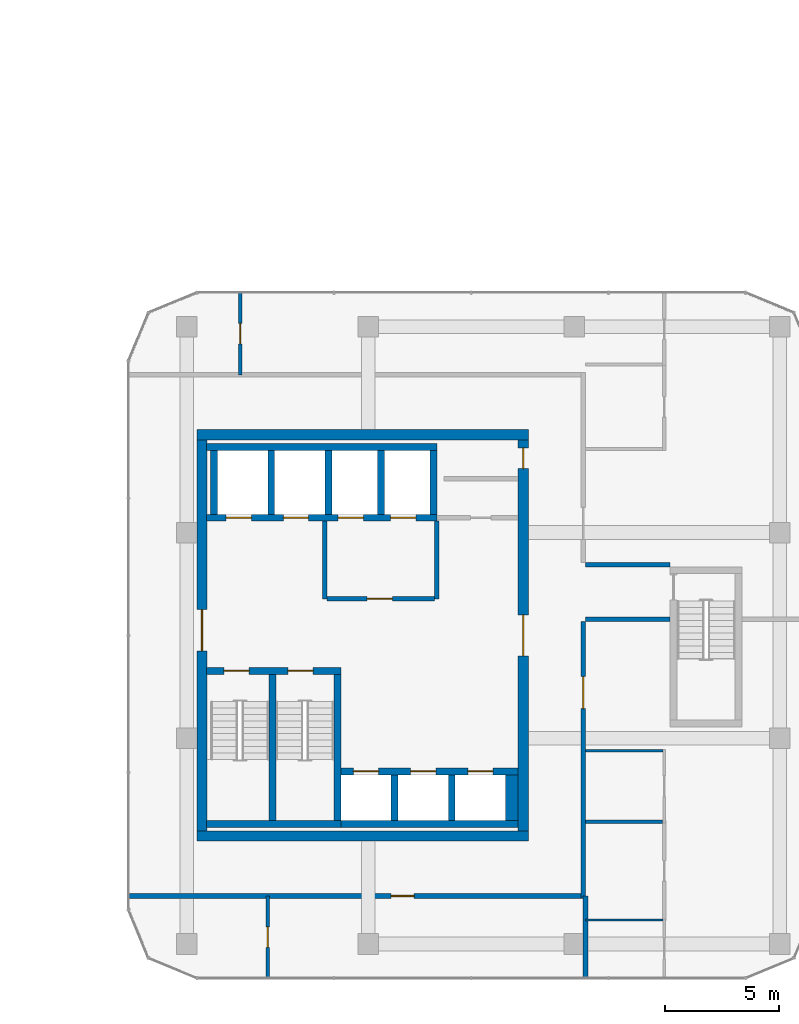
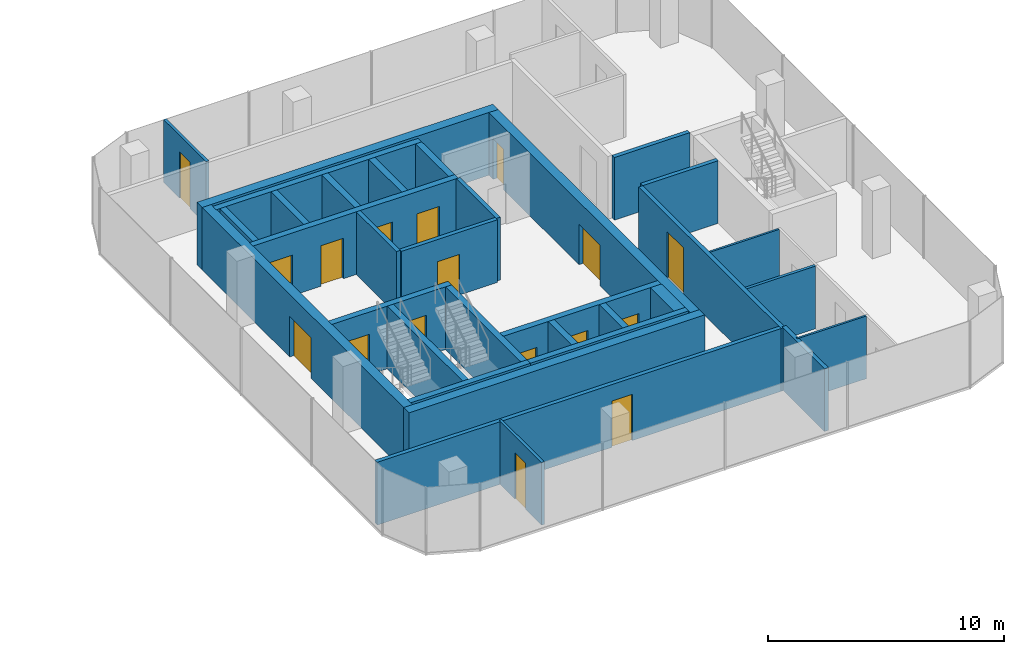
# One storey, part 18 of 23: 33 walls, 17 doors, 17 openings.
"""IFC4 building model written with IfcOpenShell, lengths in metres."""

from ifc_helpers import new_model, si_unit, direction, frame, frame_2d, origin, place, context, subcontext, project, spatial, rectangle, extrude, material, layer, layer_set, type_object, element, fill, save


model = new_model("IFC4")

# Units and contexts
model_context = context("Model", 3, precision=1e-05, world=origin(), true_north=direction((0.0, 1.0)))
body_context = subcontext(model_context, "Body", "Model", "MODEL_VIEW")
ifc_project = project(units=[si_unit("LENGTHUNIT", "METRE"), si_unit("AREAUNIT", "SQUARE_METRE"), si_unit("VOLUMEUNIT", "CUBIC_METRE"), si_unit("PLANEANGLEUNIT", "RADIAN"), si_unit("MASSUNIT", "GRAM", prefix="KILO")], contexts=[model_context])

# Site, building, storey
site_placement = place(None, origin())
site = spatial("IfcSite", under=ifc_project, at=site_placement, CompositionType="ELEMENT")
building_placement = place(site_placement, origin())
building = spatial("IfcBuilding", under=site, at=building_placement, Name="Plateau Cross Towers", CompositionType="ELEMENT")
storey_placement = place(building_placement, frame((0.0, 0.0, 81.800048828125)))
storey = spatial("IfcBuildingStorey", under=building, at=storey_placement, Name="L20", CompositionType="ELEMENT", Elevation=81.800048828125)

# Wall
ifc_material_1 = material(Name="Concrete block, plastered both sides", Category="concrete")
ifc_layer_1 = layer(ifc_material_1, 0.199951171875)
ifc_layer_set_1 = layer_set([ifc_layer_1], Name="Concrete block, plastered both sides")
wall_type_1 = type_object("IfcWallType", Name="Core partition 200", PredefinedType="PARTITIONING", material=ifc_layer_set_1)
wall_1_placement = place(storey_placement, frame((80.60009765625, 10.60009765625, 0.0), z_axis=(0.0, 0.0, 1.0), x_axis=(0.0, 1.0, 0.0)))
element("IfcWall", 1, at=wall_1_placement, inside=storey, type_object=wall_type_1, Name="Core partition", PredefinedType="PARTITIONING", context=body_context, shape_type="SweptSolid", body=[
    extrude(rectangle(XDim=3.39990234375, YDim=0.199951171875, at=frame_2d((1.699951171875, 0.0))), origin(), (0.0, 0.0, 1.0), 3.25),
])

# Wall, opening, door
wall_2_placement = place(storey_placement, frame((80.699951171875, 10.60009765625, 0.0), z_axis=(0.0, 0.0, 1.0), x_axis=(1.0, 0.0, 0.0)))
wall_2 = element("IfcWall", 2, at=wall_2_placement, inside=storey, type_object=wall_type_1, Name="Core partition", PredefinedType="PARTITIONING", context=body_context, shape_type="SweptSolid", body=[
    extrude(rectangle(XDim=4.699951171875, YDim=0.199951171875, at=frame_2d((2.35009765625, 0.0))), origin(), (0.0, 0.0, 1.0), 3.25),
])
opening_1_placement = place(wall_2_placement, frame((1.75, 0.0, 0.0)))
opening_1 = element("IfcOpeningElement", 3, at=opening_1_placement, cuts=wall_2, Name="Opening FFD", PredefinedType="OPENING", context=body_context, shape_type="SweptSolid", body=[
    extrude(rectangle(XDim=1.10009765625, YDim=2.10009765625, at=frame_2d((0.550048828125, 1.050048828125))), frame((0.0, 0.10986328125, 0.0), z_axis=(0.0, -1.0, 0.0), x_axis=(1.0, 0.0, 0.0)), (0.0, 0.0, 1.0), 0.219970703125),
])
ifc_material_2 = material(Name="Steel, fire-resisting leaf", Category="steel")
door_type_1 = type_object("IfcDoorType", Name="Firefighting lobby door 1100", OperationType="NOTDEFINED", PredefinedType="DOOR", material=ifc_material_2)
door_1_placement = place(opening_1_placement, origin())
door_1 = element("IfcDoor", 4, at=door_1_placement, inside=storey, type_object=door_type_1, Name="Firefighting lobby door FFD", OperationType="SINGLE_SWING_LEFT", OverallHeight=2.10009765625, OverallWidth=1.10009765625, PredefinedType="DOOR", context=body_context, shape_type="SweptSolid", body=[
    extrude(rectangle(XDim=1.10009765625, YDim=2.10009765625, at=frame_2d((0.550048828125, 1.050048828125))), frame((0.0, 0.02490234375, 0.0), z_axis=(0.0, -1.0, 0.0), x_axis=(1.0, 0.0, 0.0)), (0.0, 0.0, 1.0), 0.050048828125),
])
fill(opening_1, door_1)

# Walls
wall_3_placement = place(storey_placement, frame((85.5, 10.60009765625, 0.0), z_axis=(0.0, 0.0, 1.0), x_axis=(0.0, 1.0, 0.0)))
element("IfcWall", 5, at=wall_3_placement, inside=storey, type_object=wall_type_1, Name="Core partition", PredefinedType="PARTITIONING", context=body_context, shape_type="SweptSolid", body=[
    extrude(rectangle(XDim=3.39990234375, YDim=0.199951171875, at=frame_2d((1.699951171875, 0.0))), origin(), (0.0, 0.0, 1.0), 3.25),
])
ifc_material_3 = material(Name="Concrete C60/75", Category="concrete")
ifc_layer_2 = layer(ifc_material_3, 0.300048828125)
ifc_layer_set_2 = layer_set([ifc_layer_2], Name="Concrete C60/75")
wall_type_2 = type_object("IfcWallType", Name="Core shaft wall 300", PredefinedType="SHEAR", material=ifc_layer_set_2)
wall_4_placement = place(storey_placement, frame((75.429931640625, 0.75, 0.0), z_axis=(0.0, 0.0, 1.0), x_axis=(1.0, 0.0, 0.0)))
element("IfcWall", 6, at=wall_4_placement, inside=storey, type_object=wall_type_2, Name="B-sb-stS@L20", PredefinedType="SHEAR", context=body_context, shape_type="SweptSolid", body=[
    extrude(rectangle(XDim=5.8701171875, YDim=0.300048828125, at=frame_2d((2.93505859375, 0.0))), origin(), (0.0, 0.0, 1.0), 3.25),
])

# Wall, openings, doors
wall_5_placement = place(storey_placement, frame((75.429931640625, 7.449951171875, 0.0), z_axis=(0.0, 0.0, 1.0), x_axis=(1.0, 0.0, 0.0)))
wall_5 = element("IfcWall", 7, at=wall_5_placement, inside=storey, type_object=wall_type_2, Name="B-sb-stN@L20", PredefinedType="SHEAR", context=body_context, shape_type="SweptSolid", body=[
    extrude(rectangle(XDim=5.8701171875, YDim=0.300048828125, at=frame_2d((2.93505859375, 0.0))), origin(), (0.0, 0.0, 1.0), 3.25),
])
opening_2_placement = place(wall_5_placement, frame((0.75, 0.0, 0.0)))
opening_2 = element("IfcOpeningElement", 8, at=opening_2_placement, cuts=wall_5, Name="Opening SD", PredefinedType="OPENING", context=body_context, shape_type="SweptSolid", body=[
    extrude(rectangle(XDim=1.10009765625, YDim=2.10009765625, at=frame_2d((0.550048828125, 1.050048828125))), frame((0.0, 0.159912109375, 0.0), z_axis=(0.0, -1.0, 0.0), x_axis=(1.0, 0.0, 0.0)), (0.0, 0.0, 1.0), 0.320068359375),
])
opening_3_placement = place(wall_5_placement, frame((3.550048828125, 0.0, 0.0)))
opening_3 = element("IfcOpeningElement", 9, at=opening_3_placement, cuts=wall_5, Name="Opening SD", PredefinedType="OPENING", context=body_context, shape_type="SweptSolid", body=[
    extrude(rectangle(XDim=1.10009765625, YDim=2.10009765625, at=frame_2d((0.550048828125, 1.050048828125))), frame((0.0, 0.159912109375, 0.0), z_axis=(0.0, -1.0, 0.0), x_axis=(1.0, 0.0, 0.0)), (0.0, 0.0, 1.0), 0.320068359375),
])
door_type_2 = type_object("IfcDoorType", Name="Stair door 1100", OperationType="NOTDEFINED", PredefinedType="DOOR", material=ifc_material_2)
door_2_placement = place(opening_2_placement, origin())
door_2 = element("IfcDoor", 10, at=door_2_placement, inside=storey, type_object=door_type_2, Name="Stair door SD", OperationType="SINGLE_SWING_RIGHT", OverallHeight=2.10009765625, OverallWidth=1.10009765625, PredefinedType="DOOR", context=body_context, shape_type="SweptSolid", body=[
    extrude(rectangle(XDim=1.10009765625, YDim=2.10009765625, at=frame_2d((0.550048828125, 1.050048828125))), frame((0.0, 0.02490234375, 0.0), z_axis=(0.0, -1.0, 0.0), x_axis=(1.0, 0.0, 0.0)), (0.0, 0.0, 1.0), 0.050048828125),
])
fill(opening_2, door_2)
door_3_placement = place(opening_3_placement, origin())
door_3 = element("IfcDoor", 11, at=door_3_placement, inside=storey, type_object=door_type_2, Name="Stair door SD", OperationType="SINGLE_SWING_LEFT", OverallHeight=2.10009765625, OverallWidth=1.10009765625, PredefinedType="DOOR", context=body_context, shape_type="SweptSolid", body=[
    extrude(rectangle(XDim=1.10009765625, YDim=2.10009765625, at=frame_2d((0.550048828125, 1.050048828125))), frame((0.0, 0.02490234375, 0.0), z_axis=(0.0, -1.0, 0.0), x_axis=(1.0, 0.0, 0.0)), (0.0, 0.0, 1.0), 0.050048828125),
])
fill(opening_3, door_3)

# Walls
for number, where, z_axis, x_axis, name in (
    (12, (78.300048828125, 0.89990234375, 0.0), (0.0, 0.0, 1.0), (0.0, 1.0, 0.0), "B-sb-st1@L20"),
    (13, (81.14990234375, 0.89990234375, 0.0), (0.0, 0.0, 1.0), (0.0, 1.0, 0.0), "B-sb-st2@L20"),
):
    element("IfcWall", number, at=place(storey_placement, frame(where, z_axis=z_axis, x_axis=x_axis)), inside=storey, type_object=wall_type_2, Name=name, PredefinedType="SHEAR", context=body_context, shape_type="SweptSolid", body=[
        extrude(rectangle(XDim=6.400146484375, YDim=0.300048828125, at=frame_2d((3.2001953125, 0.0))), origin(), (0.0, 0.0, 1.0), 3.25),
    ])
wall_6_placement = place(storey_placement, frame((81.300048828125, 0.75, 0.0), z_axis=(0.0, 0.0, 1.0), x_axis=(1.0, 0.0, 0.0)))
element("IfcWall", 14, at=wall_6_placement, inside=storey, type_object=wall_type_2, Name="B-sb-back@L20", PredefinedType="SHEAR", context=body_context, shape_type="SweptSolid", body=[
    extrude(rectangle(XDim=7.75, YDim=0.300048828125, at=frame_2d((3.875, 0.0))), origin(), (0.0, 0.0, 1.0), 3.25),
])
for number, where, z_axis, x_axis, name in (
    (15, (83.64990234375, 0.89990234375, 0.0), (0.0, 0.0, 1.0), (0.0, 1.0, 0.0), "B-sb-v1@L20"),
    (16, (86.14990234375, 0.89990234375, 0.0), (0.0, 0.0, 1.0), (0.0, 1.0, 0.0), "B-sb-v2@L20"),
):
    element("IfcWall", number, at=place(storey_placement, frame(where, z_axis=z_axis, x_axis=x_axis)), inside=storey, type_object=wall_type_2, Name=name, PredefinedType="SHEAR", context=body_context, shape_type="SweptSolid", body=[
        extrude(rectangle(XDim=2.0, YDim=0.300048828125, at=frame_2d((1.0, 0.0))), origin(), (0.0, 0.0, 1.0), 3.25),
    ])

# Wall, openings, doors
wall_7_placement = place(storey_placement, frame((81.300048828125, 3.050048828125, 0.0), z_axis=(0.0, 0.0, 1.0), x_axis=(1.0, 0.0, 0.0)))
wall_7 = element("IfcWall", 17, at=wall_7_placement, inside=storey, type_object=wall_type_2, Name="B-sb-front@L20", PredefinedType="SHEAR", context=body_context, shape_type="SweptSolid", body=[
    extrude(rectangle(XDim=7.75, YDim=0.300048828125, at=frame_2d((3.875, 0.0))), origin(), (0.0, 0.0, 1.0), 3.25),
])
opening_4_placement = place(wall_7_placement, frame((0.550048828125, 0.0, 0.0)))
opening_4 = element("IfcOpeningElement", 18, at=opening_4_placement, cuts=wall_7, Name="Opening LD", PredefinedType="OPENING", context=body_context, shape_type="SweptSolid", body=[
    extrude(rectangle(XDim=1.10009765625, YDim=2.10009765625, at=frame_2d((0.550048828125, 1.050048828125))), frame((0.0, 0.159912109375, 0.0), z_axis=(0.0, -1.0, 0.0), x_axis=(1.0, 0.0, 0.0)), (0.0, 0.0, 1.0), 0.320068359375),
])
opening_5_placement = place(wall_7_placement, frame((3.050048828125, 0.0, 0.0)))
opening_5 = element("IfcOpeningElement", 19, at=opening_5_placement, cuts=wall_7, Name="Opening LD", PredefinedType="OPENING", context=body_context, shape_type="SweptSolid", body=[
    extrude(rectangle(XDim=1.10009765625, YDim=2.10009765625, at=frame_2d((0.550048828125, 1.050048828125))), frame((0.0, 0.159912109375, 0.0), z_axis=(0.0, -1.0, 0.0), x_axis=(1.0, 0.0, 0.0)), (0.0, 0.0, 1.0), 0.320068359375),
])
opening_6_placement = place(wall_7_placement, frame((5.550048828125, 0.0, 0.0)))
opening_6 = element("IfcOpeningElement", 20, at=opening_6_placement, cuts=wall_7, Name="Opening LD", PredefinedType="OPENING", context=body_context, shape_type="SweptSolid", body=[
    extrude(rectangle(XDim=1.10009765625, YDim=2.10009765625, at=frame_2d((0.550048828125, 1.050048828125))), frame((0.0, 0.159912109375, 0.0), z_axis=(0.0, -1.0, 0.0), x_axis=(1.0, 0.0, 0.0)), (0.0, 0.0, 1.0), 0.320068359375),
])
ifc_material_4 = material(Name="Stainless steel, fire-resisting sliding leaves", Category="steel")
door_type_3 = type_object("IfcDoorType", Name="Lift landing door 1100", OperationType="NOTDEFINED", PredefinedType="DOOR", material=ifc_material_4)
door_4_placement = place(opening_4_placement, origin())
door_4 = element("IfcDoor", 21, at=door_4_placement, inside=storey, type_object=door_type_3, Name="Lift landing door LD", OperationType="DOUBLE_DOOR_SLIDING", OverallHeight=2.10009765625, OverallWidth=1.10009765625, PredefinedType="DOOR", context=body_context, shape_type="SweptSolid", body=[
    extrude(rectangle(XDim=1.10009765625, YDim=2.10009765625, at=frame_2d((0.550048828125, 1.050048828125))), frame((0.0, 0.02490234375, 0.0), z_axis=(0.0, -1.0, 0.0), x_axis=(1.0, 0.0, 0.0)), (0.0, 0.0, 1.0), 0.050048828125),
])
fill(opening_4, door_4)
door_5_placement = place(opening_5_placement, origin())
door_5 = element("IfcDoor", 22, at=door_5_placement, inside=storey, type_object=door_type_3, Name="Lift landing door LD", OperationType="DOUBLE_DOOR_SLIDING", OverallHeight=2.10009765625, OverallWidth=1.10009765625, PredefinedType="DOOR", context=body_context, shape_type="SweptSolid", body=[
    extrude(rectangle(XDim=1.10009765625, YDim=2.10009765625, at=frame_2d((0.550048828125, 1.050048828125))), frame((0.0, 0.02490234375, 0.0), z_axis=(0.0, -1.0, 0.0), x_axis=(1.0, 0.0, 0.0)), (0.0, 0.0, 1.0), 0.050048828125),
])
fill(opening_5, door_5)
door_6_placement = place(opening_6_placement, origin())
door_6 = element("IfcDoor", 23, at=door_6_placement, inside=storey, type_object=door_type_3, Name="Lift landing door LD", OperationType="DOUBLE_DOOR_SLIDING", OverallHeight=2.10009765625, OverallWidth=1.10009765625, PredefinedType="DOOR", context=body_context, shape_type="SweptSolid", body=[
    extrude(rectangle(XDim=1.10009765625, YDim=2.10009765625, at=frame_2d((0.550048828125, 1.050048828125))), frame((0.0, 0.02490234375, 0.0), z_axis=(0.0, -1.0, 0.0), x_axis=(1.0, 0.0, 0.0)), (0.0, 0.0, 1.0), 0.050048828125),
])
fill(opening_6, door_6)

# Wall
wall_8_placement = place(storey_placement, frame((75.429931640625, 17.25, 0.0), z_axis=(0.0, 0.0, 1.0), x_axis=(1.0, 0.0, 0.0)))
element("IfcWall", 24, at=wall_8_placement, inside=storey, type_object=wall_type_2, Name="B-nb-back@L20", PredefinedType="SHEAR", context=body_context, shape_type="SweptSolid", body=[
    extrude(rectangle(XDim=10.070068359375, YDim=0.300048828125, at=frame_2d((5.03515625, 0.0))), origin(), (0.0, 0.0, 1.0), 3.25),
])

# Wall, openings, doors
wall_9_placement = place(storey_placement, frame((75.429931640625, 14.14990234375, 0.0), z_axis=(0.0, 0.0, 1.0), x_axis=(1.0, 0.0, 0.0)))
wall_9 = element("IfcWall", 25, at=wall_9_placement, inside=storey, type_object=wall_type_2, Name="B-nb-front@L20", PredefinedType="SHEAR", context=body_context, shape_type="SweptSolid", body=[
    extrude(rectangle(XDim=10.070068359375, YDim=0.300048828125, at=frame_2d((5.03515625, 0.0))), origin(), (0.0, 0.0, 1.0), 3.25),
])
opening_7_placement = place(wall_9_placement, frame((0.85009765625, 0.0, 0.0)))
opening_7 = element("IfcOpeningElement", 26, at=opening_7_placement, cuts=wall_9, Name="Opening LD", PredefinedType="OPENING", context=body_context, shape_type="SweptSolid", body=[
    extrude(rectangle(XDim=1.10009765625, YDim=2.10009765625, at=frame_2d((0.550048828125, 1.050048828125))), frame((0.0, 0.159912109375, 0.0), z_axis=(0.0, -1.0, 0.0), x_axis=(1.0, 0.0, 0.0)), (0.0, 0.0, 1.0), 0.320068359375),
])
opening_8_placement = place(wall_9_placement, frame((3.35009765625, 0.0, 0.0)))
opening_8 = element("IfcOpeningElement", 27, at=opening_8_placement, cuts=wall_9, Name="Opening LD", PredefinedType="OPENING", context=body_context, shape_type="SweptSolid", body=[
    extrude(rectangle(XDim=1.10009765625, YDim=2.10009765625, at=frame_2d((0.550048828125, 1.050048828125))), frame((0.0, 0.159912109375, 0.0), z_axis=(0.0, -1.0, 0.0), x_axis=(1.0, 0.0, 0.0)), (0.0, 0.0, 1.0), 0.320068359375),
])
opening_9_placement = place(wall_9_placement, frame((5.75, 0.0, 0.0)))
opening_9 = element("IfcOpeningElement", 28, at=opening_9_placement, cuts=wall_9, Name="Opening LD", PredefinedType="OPENING", context=body_context, shape_type="SweptSolid", body=[
    extrude(rectangle(XDim=1.10009765625, YDim=2.10009765625, at=frame_2d((0.550048828125, 1.050048828125))), frame((0.0, 0.159912109375, 0.0), z_axis=(0.0, -1.0, 0.0), x_axis=(1.0, 0.0, 0.0)), (0.0, 0.0, 1.0), 0.320068359375),
])
opening_10_placement = place(wall_9_placement, frame((8.050048828125, 0.0, 0.0)))
opening_10 = element("IfcOpeningElement", 29, at=opening_10_placement, cuts=wall_9, Name="Opening LD", PredefinedType="OPENING", context=body_context, shape_type="SweptSolid", body=[
    extrude(rectangle(XDim=1.10009765625, YDim=2.10009765625, at=frame_2d((0.550048828125, 1.050048828125))), frame((0.0, 0.159912109375, 0.0), z_axis=(0.0, -1.0, 0.0), x_axis=(1.0, 0.0, 0.0)), (0.0, 0.0, 1.0), 0.320068359375),
])
door_7_placement = place(opening_7_placement, origin())
door_7 = element("IfcDoor", 30, at=door_7_placement, inside=storey, type_object=door_type_3, Name="Lift landing door LD", OperationType="DOUBLE_DOOR_SLIDING", OverallHeight=2.10009765625, OverallWidth=1.10009765625, PredefinedType="DOOR", context=body_context, shape_type="SweptSolid", body=[
    extrude(rectangle(XDim=1.10009765625, YDim=2.10009765625, at=frame_2d((0.550048828125, 1.050048828125))), frame((0.0, 0.02490234375, 0.0), z_axis=(0.0, -1.0, 0.0), x_axis=(1.0, 0.0, 0.0)), (0.0, 0.0, 1.0), 0.050048828125),
])
fill(opening_7, door_7)
door_8_placement = place(opening_8_placement, origin())
door_8 = element("IfcDoor", 31, at=door_8_placement, inside=storey, type_object=door_type_3, Name="Lift landing door LD", OperationType="DOUBLE_DOOR_SLIDING", OverallHeight=2.10009765625, OverallWidth=1.10009765625, PredefinedType="DOOR", context=body_context, shape_type="SweptSolid", body=[
    extrude(rectangle(XDim=1.10009765625, YDim=2.10009765625, at=frame_2d((0.550048828125, 1.050048828125))), frame((0.0, 0.02490234375, 0.0), z_axis=(0.0, -1.0, 0.0), x_axis=(1.0, 0.0, 0.0)), (0.0, 0.0, 1.0), 0.050048828125),
])
fill(opening_8, door_8)
door_9_placement = place(opening_9_placement, origin())
door_9 = element("IfcDoor", 32, at=door_9_placement, inside=storey, type_object=door_type_3, Name="Lift landing door LD", OperationType="DOUBLE_DOOR_SLIDING", OverallHeight=2.10009765625, OverallWidth=1.10009765625, PredefinedType="DOOR", context=body_context, shape_type="SweptSolid", body=[
    extrude(rectangle(XDim=1.10009765625, YDim=2.10009765625, at=frame_2d((0.550048828125, 1.050048828125))), frame((0.0, 0.02490234375, 0.0), z_axis=(0.0, -1.0, 0.0), x_axis=(1.0, 0.0, 0.0)), (0.0, 0.0, 1.0), 0.050048828125),
])
fill(opening_9, door_9)
door_10_placement = place(opening_10_placement, origin())
door_10 = element("IfcDoor", 33, at=door_10_placement, inside=storey, type_object=door_type_3, Name="Lift landing door LD", OperationType="DOUBLE_DOOR_SLIDING", OverallHeight=2.10009765625, OverallWidth=1.10009765625, PredefinedType="DOOR", context=body_context, shape_type="SweptSolid", body=[
    extrude(rectangle(XDim=1.10009765625, YDim=2.10009765625, at=frame_2d((0.550048828125, 1.050048828125))), frame((0.0, 0.02490234375, 0.0), z_axis=(0.0, -1.0, 0.0), x_axis=(1.0, 0.0, 0.0)), (0.0, 0.0, 1.0), 0.050048828125),
])
fill(opening_10, door_10)

# Walls
for number, where, z_axis, x_axis, name in (
    (34, (75.75, 14.300048828125, 0.0), (0.0, 0.0, 1.0), (0.0, 1.0, 0.0), "B-nb-v0@L20"),
    (35, (78.25, 14.300048828125, 0.0), (0.0, 0.0, 1.0), (0.0, 1.0, 0.0), "B-nb-v1@L20"),
    (36, (80.75, 14.300048828125, 0.0), (0.0, 0.0, 1.0), (0.0, 1.0, 0.0), "B-nb-v2@L20"),
    (37, (83.050048828125, 14.300048828125, 0.0), (0.0, 0.0, 1.0), (0.0, 1.0, 0.0), "B-nb-v3@L20"),
    (38, (85.35009765625, 14.300048828125, 0.0), (0.0, 0.0, 1.0), (0.0, 1.0, 0.0), "B-nb-v4@L20"),
):
    element("IfcWall", number, at=place(storey_placement, frame(where, z_axis=z_axis, x_axis=x_axis)), inside=storey, type_object=wall_type_2, Name=name, PredefinedType="SHEAR", context=body_context, shape_type="SweptSolid", body=[
        extrude(rectangle(XDim=2.800048828125, YDim=0.300048828125, at=frame_2d((1.39990234375, 0.0))), origin(), (0.0, 0.0, 1.0), 3.25),
    ])
ifc_layer_3 = layer(ifc_material_3, 0.550048828125)
ifc_layer_set_3 = layer_set([ifc_layer_3], Name="Concrete C60/75")
wall_type_3 = type_object("IfcWallType", Name="Core shaft wall 550", PredefinedType="SHEAR", material=ifc_layer_set_3)
wall_10_placement = place(storey_placement, frame((88.77490234375, 0.89990234375, 0.0), z_axis=(0.0, 0.0, 1.0), x_axis=(0.0, 1.0, 0.0)))
element("IfcWall", 39, at=wall_10_placement, inside=storey, type_object=wall_type_3, Name="B-sb-v3@L20", PredefinedType="SHEAR", context=body_context, shape_type="SweptSolid", body=[
    extrude(rectangle(XDim=2.0, YDim=0.550048828125, at=frame_2d((1.0, 0.0))), origin(), (0.0, 0.0, 1.0), 3.25),
])
ifc_layer_4 = layer(ifc_material_3, 0.449951171875)
ifc_layer_set_4 = layer_set([ifc_layer_4], Name="Concrete C60/75")
wall_type_4 = type_object("IfcWallType", Name="Core shell wall 450", PredefinedType="SHEAR", material=ifc_layer_set_4)
for number, where, z_axis, x_axis, name in (
    (40, (75.0, 0.22509765625, 0.0), (0.0, 0.0, 1.0), (1.0, 0.0, 0.0), "B-core-S@L20"),
    (41, (75.0, 17.77490234375, 0.0), (0.0, 0.0, 1.0), (1.0, 0.0, 0.0), "B-core-N@L20"),
):
    element("IfcWall", number, at=place(storey_placement, frame(where, z_axis=z_axis, x_axis=x_axis)), inside=storey, type_object=wall_type_4, Name=name, PredefinedType="SHEAR", context=body_context, shape_type="SweptSolid", body=[
        extrude(rectangle(XDim=14.5, YDim=0.449951171875, at=frame_2d((7.25, 0.0))), origin(), (0.0, 0.0, 1.0), 3.25),
    ])

# Wall, opening, door
wall_11_placement = place(storey_placement, frame((75.22509765625, 0.449951171875, 0.0), z_axis=(0.0, 0.0, 1.0), x_axis=(0.0, 1.0, 0.0)))
wall_11 = element("IfcWall", 42, at=wall_11_placement, inside=storey, type_object=wall_type_4, Name="B-core-W@L20", PredefinedType="SHEAR", context=body_context, shape_type="SweptSolid", body=[
    extrude(rectangle(XDim=17.10009765625, YDim=0.449951171875, at=frame_2d((8.550048828125, 0.0))), origin(), (0.0, 0.0, 1.0), 3.25),
])
opening_11_placement = place(wall_11_placement, frame((7.875, 0.0, 0.0)))
opening_11 = element("IfcOpeningElement", 43, at=opening_11_placement, cuts=wall_11, Name="Opening CD", PredefinedType="OPENING", context=body_context, shape_type="SweptSolid", body=[
    extrude(rectangle(XDim=1.800048828125, YDim=2.10009765625, at=frame_2d((0.89990234375, 1.050048828125))), frame((0.0, 0.23486328125, 0.0), z_axis=(0.0, -1.0, 0.0), x_axis=(1.0, 0.0, 0.0)), (0.0, 0.0, 1.0), 0.469970703125),
])
ifc_material_5 = material(Name="Steel, fire-resisting leaves", Category="steel")
door_type_4 = type_object("IfcDoorType", Name="Corridor door pair 1800", OperationType="NOTDEFINED", PredefinedType="DOOR", material=ifc_material_5)
door_11_placement = place(opening_11_placement, origin())
door_11 = element("IfcDoor", 44, at=door_11_placement, inside=storey, type_object=door_type_4, Name="Corridor door pair CD", OperationType="DOUBLE_DOOR_SINGLE_SWING", OverallHeight=2.10009765625, OverallWidth=1.800048828125, PredefinedType="DOOR", context=body_context, shape_type="SweptSolid", body=[
    extrude(rectangle(XDim=1.800048828125, YDim=2.10009765625, at=frame_2d((0.89990234375, 1.050048828125))), frame((0.0, 0.02490234375, 0.0), z_axis=(0.0, -1.0, 0.0), x_axis=(1.0, 0.0, 0.0)), (0.0, 0.0, 1.0), 0.050048828125),
])
fill(opening_11, door_11)

# Wall, openings, doors
wall_12_placement = place(storey_placement, frame((89.27490234375, 0.449951171875, 0.0), z_axis=(0.0, 0.0, 1.0), x_axis=(0.0, 1.0, 0.0)))
wall_12 = element("IfcWall", 45, at=wall_12_placement, inside=storey, type_object=wall_type_4, Name="B-core-E@L20", PredefinedType="SHEAR", context=body_context, shape_type="SweptSolid", body=[
    extrude(rectangle(XDim=17.10009765625, YDim=0.449951171875, at=frame_2d((8.550048828125, 0.0))), origin(), (0.0, 0.0, 1.0), 3.25),
])
opening_12_placement = place(wall_12_placement, frame((7.64990234375, 0.0, 0.0)))
opening_12 = element("IfcOpeningElement", 46, at=opening_12_placement, cuts=wall_12, Name="Opening CD", PredefinedType="OPENING", context=body_context, shape_type="SweptSolid", body=[
    extrude(rectangle(XDim=1.800048828125, YDim=2.10009765625, at=frame_2d((0.89990234375, 1.050048828125))), frame((0.0, 0.23486328125, 0.0), z_axis=(0.0, -1.0, 0.0), x_axis=(1.0, 0.0, 0.0)), (0.0, 0.0, 1.0), 0.469970703125),
])
opening_13_placement = place(wall_12_placement, frame((15.85009765625, 0.0, 0.0)))
opening_13 = element("IfcOpeningElement", 47, at=opening_13_placement, cuts=wall_12, Name="Opening RD2", PredefinedType="OPENING", context=body_context, shape_type="SweptSolid", body=[
    extrude(rectangle(XDim=0.89990234375, YDim=2.10009765625, at=frame_2d((0.449951171875, 1.050048828125))), frame((0.0, 0.23486328125, 0.0), z_axis=(0.0, -1.0, 0.0), x_axis=(1.0, 0.0, 0.0)), (0.0, 0.0, 1.0), 0.469970703125),
])
door_type_5 = type_object("IfcDoorType", Name="Core riser door 900", OperationType="NOTDEFINED", PredefinedType="DOOR", material=ifc_material_2)
door_12_placement = place(opening_13_placement, origin())
door_12 = element("IfcDoor", 48, at=door_12_placement, inside=storey, type_object=door_type_5, Name="Core riser door RD2", OperationType="SINGLE_SWING_LEFT", OverallHeight=2.10009765625, OverallWidth=0.89990234375, PredefinedType="DOOR", context=body_context, shape_type="SweptSolid", body=[
    extrude(rectangle(XDim=0.89990234375, YDim=2.10009765625, at=frame_2d((0.449951171875, 1.050048828125))), frame((0.0, 0.02490234375, 0.0), z_axis=(0.0, -1.0, 0.0), x_axis=(1.0, 0.0, 0.0)), (0.0, 0.0, 1.0), 0.050048828125),
])
fill(opening_13, door_12)
door_13_placement = place(opening_12_placement, origin())
door_13 = element("IfcDoor", 49, at=door_13_placement, inside=storey, type_object=door_type_4, Name="Corridor door pair CD", OperationType="DOUBLE_DOOR_SINGLE_SWING", OverallHeight=2.10009765625, OverallWidth=1.800048828125, PredefinedType="DOOR", context=body_context, shape_type="SweptSolid", body=[
    extrude(rectangle(XDim=1.800048828125, YDim=2.10009765625, at=frame_2d((0.89990234375, 1.050048828125))), frame((0.0, 0.02490234375, 0.0), z_axis=(0.0, -1.0, 0.0), x_axis=(1.0, 0.0, 0.0)), (0.0, 0.0, 1.0), 0.050048828125),
])
fill(opening_12, door_13)

# Wall, opening, door
ifc_material_6 = material(Name="Gypsum board on steel studs, two layers each side", Category="steel")
ifc_layer_5 = layer(ifc_material_6, 0.199951171875)
ifc_layer_set_5 = layer_set([ifc_layer_5], Name="Gypsum board on steel studs, two layers each side")
wall_type_5 = type_object("IfcWallType", Name="Corridor wall 200", PredefinedType="PARTITIONING", material=ifc_layer_set_5)
wall_13_placement = place(storey_placement, frame((72.0, -2.39990234375, 0.0), z_axis=(0.0, 0.0, 1.0), x_axis=(1.0, 0.0, 0.0)))
wall_13 = element("IfcWall", 50, at=wall_13_placement, inside=storey, type_object=wall_type_5, Name="Ring wall", PredefinedType="PARTITIONING", context=body_context, shape_type="SweptSolid", body=[
    extrude(rectangle(XDim=20.0, YDim=0.199951171875, at=frame_2d((10.0, 0.0))), origin(), (0.0, 0.0, 1.0), 3.25),
])
opening_14_placement = place(wall_13_placement, frame((11.5, 0.0, 0.0)))
opening_14 = element("IfcOpeningElement", 51, at=opening_14_placement, cuts=wall_13, Name="Opening D-BO10", PredefinedType="OPENING", context=body_context, shape_type="SweptSolid", body=[
    extrude(rectangle(XDim=1.0, YDim=2.39990234375, at=frame_2d((0.5, 1.199951171875))), frame((0.0, 0.10986328125, 0.0), z_axis=(0.0, -1.0, 0.0), x_axis=(1.0, 0.0, 0.0)), (0.0, 0.0, 1.0), 0.219970703125),
])
ifc_material_7 = material(Name="Fire-resisting glazed leaf in a steel frame", Category="steel")
door_type_6 = type_object("IfcDoorType", Name="Office glazed entrance leaf 1000x2400", OperationType="NOTDEFINED", PredefinedType="DOOR", material=ifc_material_7)
door_14_placement = place(opening_14_placement, origin())
door_14 = element("IfcDoor", 52, at=door_14_placement, inside=storey, type_object=door_type_6, Name="Door D-BO10", OperationType="SINGLE_SWING_LEFT", OverallHeight=2.39990234375, OverallWidth=1.0, PredefinedType="DOOR", context=body_context, shape_type="SweptSolid", body=[
    extrude(rectangle(XDim=1.0, YDim=2.39990234375, at=frame_2d((0.5, 1.199951171875))), frame((0.0, 0.02490234375, 0.0), z_axis=(0.0, -1.0, 0.0), x_axis=(1.0, 0.0, 0.0)), (0.0, 0.0, 1.0), 0.050048828125),
])
fill(opening_14, door_14)

wall_14_placement = place(storey_placement, frame((91.89990234375, -2.5, 0.0), z_axis=(0.0, 0.0, 1.0), x_axis=(0.0, 1.0, 0.0)))
wall_14 = element("IfcWall", 53, at=wall_14_placement, inside=storey, type_object=wall_type_5, Name="Ring wall", PredefinedType="PARTITIONING", context=body_context, shape_type="SweptSolid", body=[
    extrude(rectangle(XDim=12.10009765625, YDim=0.199951171875, at=frame_2d((6.050048828125, 0.0))), origin(), (0.0, 0.0, 1.0), 3.25),
])
opening_15_placement = place(wall_14_placement, frame((8.300048828125, 0.0, 0.0)))
opening_15 = element("IfcOpeningElement", 54, at=opening_15_placement, cuts=wall_14, Name="Opening D-BE14", PredefinedType="OPENING", context=body_context, shape_type="SweptSolid", body=[
    extrude(rectangle(XDim=1.39990234375, YDim=2.39990234375, at=frame_2d((0.699951171875, 1.199951171875))), frame((0.0, 0.10986328125, 0.0), z_axis=(0.0, -1.0, 0.0), x_axis=(1.0, 0.0, 0.0)), (0.0, 0.0, 1.0), 0.219970703125),
])
ifc_material_8 = material(Name="Timber, fire-resisting leaves", Category="wood")
door_type_7 = type_object("IfcDoorType", Name="Tenant entrance double-leaf 1400x2400", OperationType="NOTDEFINED", PredefinedType="DOOR", material=ifc_material_8)
door_15_placement = place(opening_15_placement, origin())
door_15 = element("IfcDoor", 55, at=door_15_placement, inside=storey, type_object=door_type_7, Name="Door D-BE14", OperationType="DOUBLE_DOOR_SINGLE_SWING", OverallHeight=2.39990234375, OverallWidth=1.39990234375, PredefinedType="DOOR", context=body_context, shape_type="SweptSolid", body=[
    extrude(rectangle(XDim=1.39990234375, YDim=2.39990234375, at=frame_2d((0.699951171875, 1.199951171875))), frame((0.0, 0.02490234375, 0.0), z_axis=(0.0, -1.0, 0.0), x_axis=(1.0, 0.0, 0.0)), (0.0, 0.0, 1.0), 0.050048828125),
])
fill(opening_15, door_15)

# Walls
for number, where, z_axis, x_axis, name in (
    (56, (92.0, 9.699951171875, 0.0), (0.0, 0.0, 1.0), (1.0, 0.0, 0.0), "Ring wall"),
    (57, (92.0, 12.10009765625, 0.0), (0.0, 0.0, 1.0), (1.0, 0.0, 0.0), "Ring wall"),
):
    element("IfcWall", number, at=place(storey_placement, frame(where, z_axis=z_axis, x_axis=x_axis)), inside=storey, type_object=wall_type_5, Name=name, PredefinedType="PARTITIONING", context=body_context, shape_type="SweptSolid", body=[
        extrude(rectangle(XDim=3.699951171875, YDim=0.199951171875, at=frame_2d((1.85009765625, 0.0))), origin(), (0.0, 0.0, 1.0), 3.25),
    ])

# Wall, opening, door
ifc_material_9 = material(Name="Gypsum board on staggered steel studs, mineral wool, two layers each side", Category="steel")
ifc_layer_6 = layer(ifc_material_9, 0.139892578125)
ifc_layer_set_6 = layer_set([ifc_layer_6], Name="Gypsum board on staggered steel studs, mineral wool, two layers each side")
wall_type_6 = type_object("IfcWallType", Name="Meeting room acoustic partition 140", PredefinedType="PARTITIONING", material=ifc_layer_set_6)
wall_15_placement = place(storey_placement, frame((78.10009765625, -6.0, 0.0), z_axis=(0.0, 0.0, 1.0), x_axis=(0.0, 1.0, 0.0)))
wall_15 = element("IfcWall", 58, at=wall_15_placement, inside=storey, type_object=wall_type_6, Name="Acoustic wall", PredefinedType="PARTITIONING", context=body_context, shape_type="SweptSolid", body=[
    extrude(rectangle(XDim=3.60009765625, YDim=0.139892578125, at=frame_2d((1.800048828125, 0.0))), origin(), (0.0, 0.0, 1.0), 3.25),
])
opening_16_placement = place(wall_15_placement, frame((1.35009765625, 0.0, 0.0)))
opening_16 = element("IfcOpeningElement", 59, at=opening_16_placement, cuts=wall_15, Name="Opening D-BM9", PredefinedType="OPENING", context=body_context, shape_type="SweptSolid", body=[
    extrude(rectangle(XDim=0.89990234375, YDim=2.39990234375, at=frame_2d((0.449951171875, 1.199951171875))), frame((0.0, 0.079833984375, 0.0), z_axis=(0.0, -1.0, 0.0), x_axis=(1.0, 0.0, 0.0)), (0.0, 0.0, 1.0), 0.159912109375),
])
ifc_material_10 = material(Name="Timber leaf, full height", Category="wood")
door_type_8 = type_object("IfcDoorType", Name="Meeting room door 900x2400", OperationType="NOTDEFINED", PredefinedType="DOOR", material=ifc_material_10)
door_16_placement = place(opening_16_placement, origin())
door_16 = element("IfcDoor", 60, at=door_16_placement, inside=storey, type_object=door_type_8, Name="Door D-BM9", OperationType="SINGLE_SWING_LEFT", OverallHeight=2.39990234375, OverallWidth=0.89990234375, PredefinedType="DOOR", context=body_context, shape_type="SweptSolid", body=[
    extrude(rectangle(XDim=0.89990234375, YDim=2.39990234375, at=frame_2d((0.449951171875, 1.199951171875))), frame((0.0, 0.02490234375, 0.0), z_axis=(0.0, -1.0, 0.0), x_axis=(1.0, 0.0, 0.0)), (0.0, 0.0, 1.0), 0.050048828125),
])
fill(opening_16, door_16)

# Wall
wall_16_placement = place(storey_placement, frame((92.0, 0.85009765625, 0.0), z_axis=(0.0, 0.0, 1.0), x_axis=(1.0, 0.0, 0.0)))
element("IfcWall", 61, at=wall_16_placement, inside=storey, type_object=wall_type_6, Name="Acoustic wall", PredefinedType="PARTITIONING", context=body_context, shape_type="SweptSolid", body=[
    extrude(rectangle(XDim=3.3798828125, YDim=0.139892578125, at=frame_2d((1.68994140625, 0.0))), origin(), (0.0, 0.0, 1.0), 3.25),
])

# Wall, opening, door
wall_17_placement = place(storey_placement, frame((76.89990234375, 20.39990234375, 0.0), z_axis=(0.0, 0.0, 1.0), x_axis=(0.0, 1.0, 0.0)))
wall_17 = element("IfcWall", 62, at=wall_17_placement, inside=storey, type_object=wall_type_6, Name="Acoustic wall", PredefinedType="PARTITIONING", context=body_context, shape_type="SweptSolid", body=[
    extrude(rectangle(XDim=3.60009765625, YDim=0.139892578125, at=frame_2d((1.800048828125, 0.0))), origin(), (0.0, 0.0, 1.0), 3.25),
])
opening_17_placement = place(wall_17_placement, frame((1.35009765625, 0.0, 0.0)))
opening_17 = element("IfcOpeningElement", 63, at=opening_17_placement, cuts=wall_17, Name="Opening D-BM9", PredefinedType="OPENING", context=body_context, shape_type="SweptSolid", body=[
    extrude(rectangle(XDim=0.89990234375, YDim=2.39990234375, at=frame_2d((0.449951171875, 1.199951171875))), frame((0.0, 0.079833984375, 0.0), z_axis=(0.0, -1.0, 0.0), x_axis=(1.0, 0.0, 0.0)), (0.0, 0.0, 1.0), 0.159912109375),
])
door_17_placement = place(opening_17_placement, origin())
door_17 = element("IfcDoor", 64, at=door_17_placement, inside=storey, type_object=door_type_8, Name="Door D-BM9", OperationType="SINGLE_SWING_LEFT", OverallHeight=2.39990234375, OverallWidth=0.89990234375, PredefinedType="DOOR", context=body_context, shape_type="SweptSolid", body=[
    extrude(rectangle(XDim=0.89990234375, YDim=2.39990234375, at=frame_2d((0.449951171875, 1.199951171875))), frame((0.0, 0.02490234375, 0.0), z_axis=(0.0, -1.0, 0.0), x_axis=(1.0, 0.0, 0.0)), (0.0, 0.0, 1.0), 0.050048828125),
])
fill(opening_17, door_17)

# Walls
ifc_material_11 = material(Name="Gypsum board on steel studs", Category="steel")
ifc_layer_7 = layer(ifc_material_11, 0.10009765625)
ifc_layer_set_7 = layer_set([ifc_layer_7], Name="Gypsum board on steel studs")
wall_type_7 = type_object("IfcWallType", Name="Office partition 100", PredefinedType="PARTITIONING", material=ifc_layer_set_7)
for number, where, z_axis, x_axis, name in (
    (65, (92.0, -3.449951171875, 0.0), (0.0, 0.0, 1.0), (1.0, 0.0, 0.0), "Part wall"),
    (66, (92.0, 3.949951171875, 0.0), (0.0, 0.0, 1.0), (1.0, 0.0, 0.0), "Part wall"),
):
    element("IfcWall", number, at=place(storey_placement, frame(where, z_axis=z_axis, x_axis=x_axis)), inside=storey, type_object=wall_type_7, Name=name, PredefinedType="PARTITIONING", context=body_context, shape_type="SweptSolid", body=[
        extrude(rectangle(XDim=3.39990234375, YDim=0.10009765625, at=frame_2d((1.699951171875, 0.0))), origin(), (0.0, 0.0, 1.0), 3.25),
    ])
ifc_layer_8 = layer(ifc_material_6, 0.199951171875)
ifc_layer_set_8 = layer_set([ifc_layer_8], Name="Gypsum board on steel studs, two layers each side")
wall_type_8 = type_object("IfcWallType", Name="Tenancy demising wall 200", PredefinedType="PARTITIONING", material=ifc_layer_set_8)
wall_18_placement = place(storey_placement, frame((92.0, -6.0, 0.0), z_axis=(0.0, 0.0, 1.0), x_axis=(0.0, 1.0, 0.0)))
element("IfcWall", 67, at=wall_18_placement, inside=storey, type_object=wall_type_8, Name="Demising wall", PredefinedType="PARTITIONING", context=body_context, shape_type="SweptSolid", body=[
    extrude(rectangle(XDim=3.60009765625, YDim=0.199951171875, at=frame_2d((1.800048828125, 0.0))), origin(), (0.0, 0.0, 1.0), 3.25),
])

save(model, "model.ifc")
